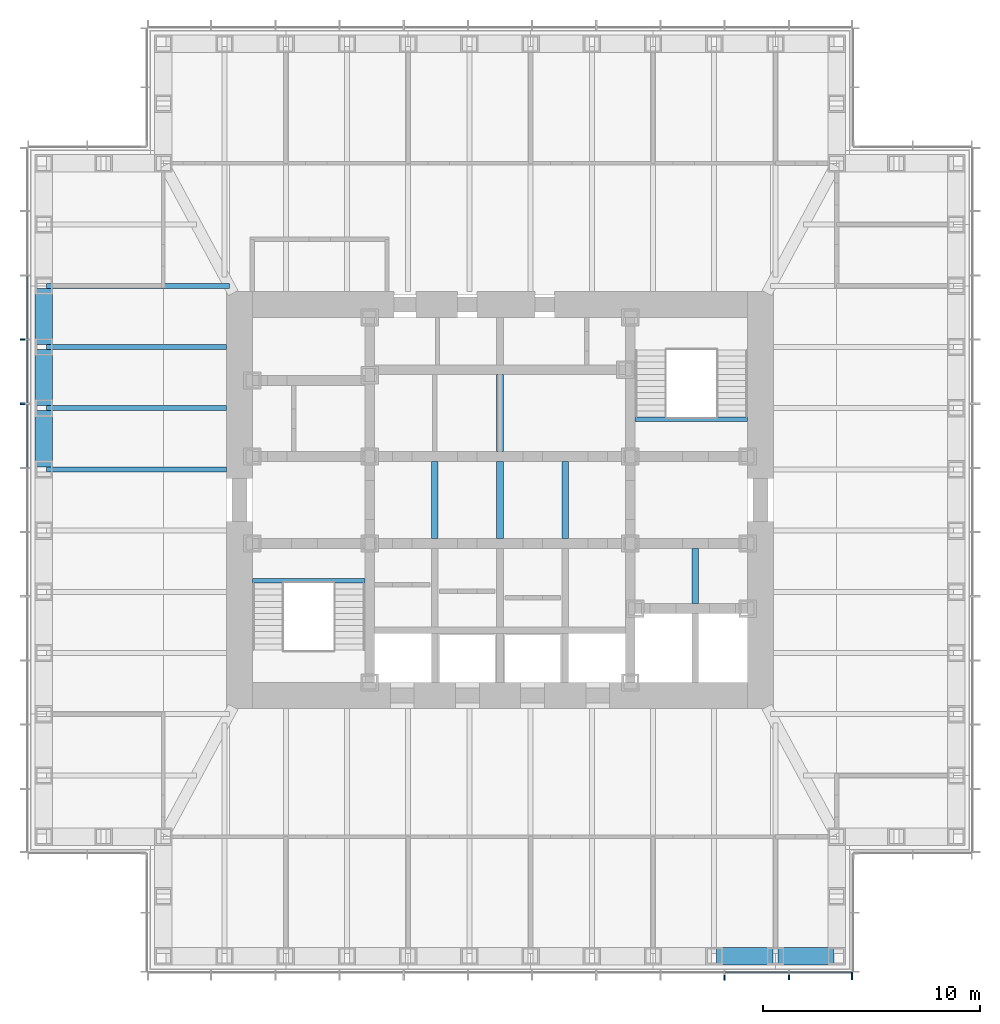
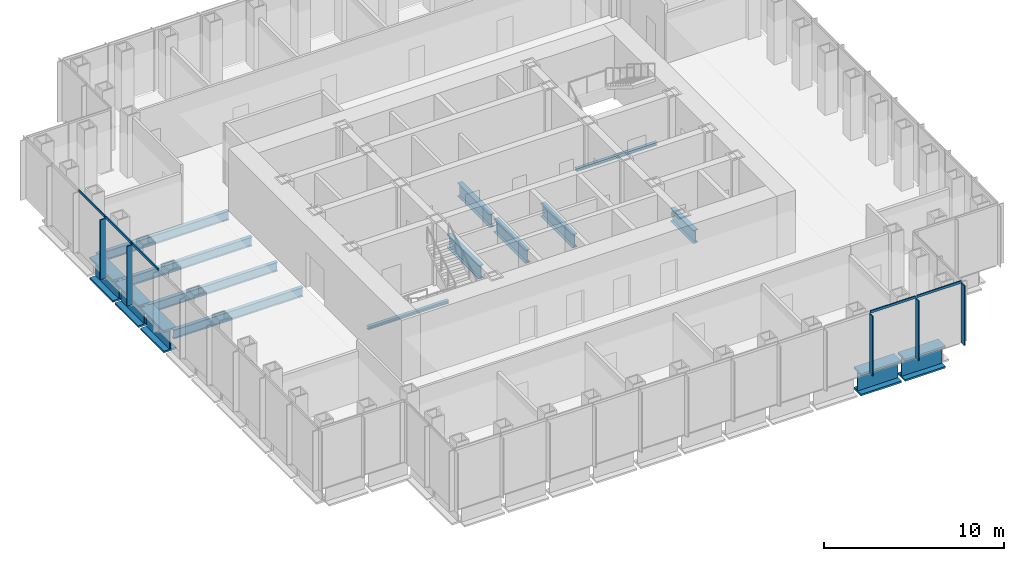
# One storey, part 3 of 16: 16 beams, 10 members, 2 elements without a shape of their own.
"""IFC4 building model written with IfcOpenShell, lengths in metres."""

import ifcopenshell
import ifcopenshell.guid

model = None  # the IFC model being written
_history = None  # IfcOwnerHistory: only IFC2X3 demands one
_inside = {}  # id of a spatial element -> (the spatial element, [elements in it])
_under = {}  # id of a project, library or spatial element -> (it, [spatial elements below it])
_declared = {}  # id of a project -> (the project, [libraries it declares])
_typed = {}  # id of a type object -> (the type object, [elements of that type])
_made_of = {}  # id of a material, layer set ... -> (it, [elements and type objects made of it])


def new_model(schema):
    """Start an empty IFC model of exactly this schema.

    Asked for "IFC4X3", IfcOpenShell would pick the latest addendum, in which some entities
    have other attributes; the version numbers below select the first issue.
    IFC2X3 requires an IfcOwnerHistory on every rooted entity: one is made here for all.
    """
    global model, _history
    if schema == "IFC4X3":
        model = ifcopenshell.file(schema_version=(4, 3, 0, 0))
    else:
        model = ifcopenshell.file(schema=schema)
    _inside.clear()
    _under.clear()
    _declared.clear()
    _typed.clear()
    _made_of.clear()
    _history = None
    if model.schema == "IFC2X3":
        org = make("IfcOrganization", Name="unknown")
        user = make(
            "IfcPersonAndOrganization",
            ThePerson=make("IfcPerson", FamilyName="unknown"),
            TheOrganization=org,
        )
        app = make(
            "IfcApplication",
            ApplicationDeveloper=org,
            Version="unknown",
            ApplicationFullName="unknown",
            ApplicationIdentifier="unknown",
        )
        _history = make(
            "IfcOwnerHistory",
            OwningUser=user,
            OwningApplication=app,
            ChangeAction="ADDED",
            CreationDate=0,
        )
    return model


def make(cls, **values):
    """One entity of the class cls with the attributes given. An attribute that is None is left unset."""
    return model.create_entity(
        cls, **{name: value for name, value in values.items() if value is not None}
    )


def rooted(cls, **values):
    """An entity with a GlobalId (a new one), such as an element, a storey or a relation."""
    return make(cls, GlobalId=ifcopenshell.guid.new(), OwnerHistory=_history, **values)


def si_unit(unit_type, name, prefix=None):
    """IfcSIUnit, for example si_unit("LENGTHUNIT", "METRE", prefix="MILLI")."""
    return make("IfcSIUnit", UnitType=unit_type, Prefix=prefix, Name=name)


def assignment(units):
    """IfcUnitAssignment: the units of a project."""
    return None if units is None else make("IfcUnitAssignment", Units=units)


def point(xyz):
    """IfcCartesianPoint."""
    return None if xyz is None else make("IfcCartesianPoint", Coordinates=xyz)


def direction(xyz):
    """IfcDirection."""
    return None if xyz is None else make("IfcDirection", DirectionRatios=xyz)


def frame(location, z_axis=None, x_axis=None):
    """IfcAxis2Placement3D, a coordinate frame: its origin and axes. An axis left out is left unset."""
    return make(
        "IfcAxis2Placement3D",
        Location=point(location),
        Axis=direction(z_axis),
        RefDirection=direction(x_axis),
    )


def frame_2d(location, x_axis=None):
    """IfcAxis2Placement2D, a coordinate frame in the plane: its origin and x axis."""
    return make(
        "IfcAxis2Placement2D", Location=point(location), RefDirection=direction(x_axis)
    )


def origin():
    """The frame at (0, 0, 0) with its axes left unset."""
    return frame((0.0, 0.0, 0.0))


def origin_2d():
    """The frame at (0, 0) in the plane with its x axis left unset."""
    return frame_2d((0.0, 0.0))


def place(relative_to, where):
    """IfcLocalPlacement: puts the frame where relative to a parent placement (None: the world)."""
    return make(
        "IfcLocalPlacement", PlacementRelTo=relative_to, RelativePlacement=where
    )


def context(
    kind, dimensions, precision=None, world=None, true_north=None, identifier=None
):
    """IfcGeometricRepresentationContext, for example the 3D "Model" context."""
    return make(
        "IfcGeometricRepresentationContext",
        ContextIdentifier=identifier,
        ContextType=kind,
        CoordinateSpaceDimension=dimensions,
        Precision=precision,
        WorldCoordinateSystem=world,
        TrueNorth=true_north,
    )


def subcontext(parent, identifier, kind, view, scale=None):
    """IfcGeometricRepresentationSubContext, for example "Body" below "Model"."""
    return make(
        "IfcGeometricRepresentationSubContext",
        ContextIdentifier=identifier,
        ContextType=kind,
        ParentContext=parent,
        TargetScale=scale,
        TargetView=view,
    )


def project(units=None, contexts=None):
    """IfcProject with its units and contexts."""
    return rooted(
        "IfcProject",
        Name="project",
        RepresentationContexts=contexts,
        UnitsInContext=assignment(units),
    )


def spatial(cls, under=None, at=None, **own):
    """A site, building, storey or space (cls), placed at a placement, below another one or the project."""
    s = rooted(cls, ObjectPlacement=at, **own)
    if under is not None:
        _under.setdefault(under.id(), (under, []))[1].append(s)
    return s


def profile(cls, at=None, kind="AREA", **sizes):
    """A parametric profile (cls). Its sizes go by their IFC names, for example OverallWidth=200.0."""
    return make(cls, ProfileType=kind, Position=at, **sizes)


def rectangle(**sizes):
    """IfcRectangleProfileDef."""
    return profile("IfcRectangleProfileDef", **sizes)


def i_section(**sizes):
    """IfcIShapeProfileDef."""
    return profile("IfcIShapeProfileDef", **sizes)


def extrude(swept, where, along, depth):
    """IfcExtrudedAreaSolid: the profile swept, set in the frame where, extruded along a direction by depth."""
    return make(
        "IfcExtrudedAreaSolid",
        SweptArea=swept,
        Position=where,
        ExtrudedDirection=direction(along),
        Depth=depth,
    )


def shape(context_of_items, identifier, shape_type, items):
    """IfcShapeRepresentation: the items that make up one representation, for example the "Body"."""
    return make(
        "IfcShapeRepresentation",
        ContextOfItems=context_of_items,
        RepresentationIdentifier=identifier,
        RepresentationType=shape_type,
        Items=items,
    )


def material(Name=None, Category=None):
    """IfcMaterial."""
    return make("IfcMaterial", Name=Name, Category=Category)


def material_profile(
    of_material, cross_section, Name=None, Category=None, Priority=None
):
    """IfcMaterialProfile: a cross section and its material."""
    return make(
        "IfcMaterialProfile",
        Name=Name,
        Material=of_material,
        Profile=cross_section,
        Priority=Priority,
        Category=Category,
    )


def profile_set(profiles, Name=None, composite=None):
    """IfcMaterialProfileSet."""
    return make(
        "IfcMaterialProfileSet",
        Name=Name,
        MaterialProfiles=profiles,
        CompositeProfile=composite,
    )


def made_of(thing, what):
    """Note that an element or type object is made of a material, layer set ...; save() writes the relation."""
    if what is not None:
        _made_of.setdefault(what.id(), (what, []))[1].append(thing)
    return thing


def type_object(cls, material=None, **own):
    """A type object (cls), such as IfcWallType, which elements share."""
    return made_of(rooted(cls, **own), material)


def element(
    cls,
    number,
    at=None,
    inside=None,
    cuts=None,
    type_object=None,
    material=None,
    context=None,
    identifier="Body",
    shape_type=None,
    held_by="IfcProductDefinitionShape",
    body=None,
    shapes=None,
    **own,
):
    """One element of the class cls, such as IfcWall. Its Tag is "e" and its number.

    at: its placement. inside: the storey or other place that contains it. cuts: it is an
    opening in that element (IfcRelVoidsElement). A single representation is given by context,
    identifier, shape_type and body (its items); several are given by shapes. held_by: the class
    of the entity that holds the representations. save() writes the other relations.
    """
    e = rooted(cls, Tag="e%d" % number, ObjectPlacement=at, **own)
    if body is not None:
        shapes = [shape(context, identifier, shape_type, body)]
    if shapes is not None:
        e.Representation = make(held_by, Representations=shapes)
    if inside is not None:
        _inside.setdefault(inside.id(), (inside, []))[1].append(e)
    if cuts is not None:
        rooted(
            "IfcRelVoidsElement", RelatingBuildingElement=cuts, RelatedOpeningElement=e
        )
    if type_object is not None:
        _typed.setdefault(type_object.id(), (type_object, []))[1].append(e)
    return made_of(e, material)


def aggregate(whole, parts):
    """IfcRelAggregates: a whole, such as a stair, and the parts it consists of."""
    return rooted("IfcRelAggregates", RelatingObject=whole, RelatedObjects=parts)


def save(model, path):
    """Write the relations noted so far, then the file.

    IfcRelAggregates (storeys below a building ...), IfcRelContainedInSpatialStructure (elements
    in a storey), IfcRelDefinesByType, IfcRelAssociatesMaterial and IfcRelDeclares: one each for
    every whole, place, type object, material and project.
    """
    for whole, parts in _under.values():
        aggregate(whole, parts)
    for where, things in _inside.values():
        rooted(
            "IfcRelContainedInSpatialStructure",
            RelatedElements=things,
            RelatingStructure=where,
        )
    for kind, things in _typed.values():
        rooted("IfcRelDefinesByType", RelatedObjects=things, RelatingType=kind)
    for what, things in _made_of.values():
        rooted("IfcRelAssociatesMaterial", RelatedObjects=things, RelatingMaterial=what)
    for by, libraries in _declared.values():
        rooted("IfcRelDeclares", RelatingContext=by, RelatedDefinitions=libraries)
    model.write(path)


model = new_model("IFC4")

# Units and contexts
model_context = context("Model", 3, precision=1e-05, world=origin(), true_north=direction((0.0, 1.0)))
body_context = subcontext(model_context, "Body", "Model", "MODEL_VIEW")
ifc_project = project(units=[si_unit("LENGTHUNIT", "METRE"), si_unit("AREAUNIT", "SQUARE_METRE"), si_unit("VOLUMEUNIT", "CUBIC_METRE"), si_unit("PLANEANGLEUNIT", "RADIAN"), si_unit("MASSUNIT", "GRAM", prefix="KILO")], contexts=[model_context])

# Site, building, storey
site_placement = place(None, origin())
site = spatial("IfcSite", under=ifc_project, at=site_placement, CompositionType="ELEMENT")
building_placement = place(site_placement, origin())
building = spatial("IfcBuilding", under=site, at=building_placement, Name="Daluyong Arena Tower", CompositionType="ELEMENT")
storey_placement = place(building_placement, frame((0.0, 0.0, 227.5)))
storey = spatial("IfcBuildingStorey", under=building, at=storey_placement, Name="L51", CompositionType="ELEMENT", Elevation=227.5)

# Curtain wall, members
ifc_material_1 = material(Name="Bronze anodised aluminium and glass", Category="aluminium")
curtain_wall_type = type_object("IfcCurtainWallType", Name="Curtain wall CW3", PredefinedType="USERDEFINED", material=ifc_material_1)
curtain_wall_1_placement = place(storey_placement, origin())
curtain_wall_1 = element("IfcCurtainWall", 1, at=curtain_wall_1_placement, inside=storey, type_object=curtain_wall_type, Name="curtain wall L51 S", ObjectType="UNITISED CURTAIN WALL", PredefinedType="USERDEFINED")
ifc_material_2 = material(Name="Bronze anodised aluminium fin", Category="aluminium")
ifc_material_profile_1 = material_profile(ifc_material_2, rectangle(XDim=0.35009765625, YDim=0.070068359375, at=origin_2d()))
ifc_profile_set_1 = profile_set([ifc_material_profile_1], Name="Bronze anodised aluminium fin")
member_type_1 = type_object("IfcMemberType", Name="CW3 bronze fin 350x70", PredefinedType="MULLION", material=ifc_profile_set_1)
member_1_placement = place(storey_placement, frame((66.3408203125, 58.074951171875, 0.0), z_axis=(0.0, 0.0, 1.0), x_axis=(0.0, 1.0, 0.0)))
member_1 = element("IfcMember", 2, at=member_1_placement, type_object=member_type_1, Name="curtain wall L51 S fin 10", PredefinedType="MULLION", context=body_context, shape_type="SweptSolid", body=[
    extrude(rectangle(XDim=0.35009765625, YDim=0.070068359375, at=origin_2d()), origin(), (0.0, 0.0, 1.0), 4.0400390625),
])
member_2_placement = place(storey_placement, frame((69.29541015625, 58.074951171875, 0.0), z_axis=(0.0, 0.0, 1.0), x_axis=(0.0, 1.0, 0.0)))
member_2 = element("IfcMember", 3, at=member_2_placement, type_object=member_type_1, Name="curtain wall L51 S fin 11", PredefinedType="MULLION", context=body_context, shape_type="SweptSolid", body=[
    extrude(rectangle(XDim=0.35009765625, YDim=0.070068359375, at=origin_2d()), origin(), (0.0, 0.0, 1.0), 4.0400390625),
])
member_3_placement = place(storey_placement, frame((72.215087890625, 58.074951171875, 0.0), z_axis=(0.0, 0.0, 1.0), x_axis=(0.0, 1.0, 0.0)))
member_3 = element("IfcMember", 4, at=member_3_placement, type_object=member_type_1, Name="curtain wall L51 S fin 12", PredefinedType="MULLION", context=body_context, shape_type="SweptSolid", body=[
    extrude(rectangle(XDim=0.35009765625, YDim=0.070068359375, at=origin_2d()), origin(), (0.0, 0.0, 1.0), 4.0400390625),
])

curtain_wall_2_placement = place(storey_placement, origin())
curtain_wall_2 = element("IfcCurtainWall", 5, at=curtain_wall_2_placement, inside=storey, type_object=curtain_wall_type, Name="curtain wall L51 W", ObjectType="UNITISED CURTAIN WALL", PredefinedType="USERDEFINED")
member_4_placement = place(storey_placement, frame((34.074951171875, 87.386474609375, 0.0), z_axis=(0.0, 0.0, 1.0), x_axis=(1.0, 0.0, 0.0)))
member_4 = element("IfcMember", 6, at=member_4_placement, type_object=member_type_1, Name="curtain wall L51 W fin 4", PredefinedType="MULLION", context=body_context, shape_type="SweptSolid", body=[
    extrude(rectangle(XDim=0.35009765625, YDim=0.070068359375, at=origin_2d()), origin(), (0.0, 0.0, 1.0), 4.0400390625),
])
member_5_placement = place(storey_placement, frame((34.074951171875, 84.431884765625, 0.0), z_axis=(0.0, 0.0, 1.0), x_axis=(1.0, 0.0, 0.0)))
member_5 = element("IfcMember", 7, at=member_5_placement, type_object=member_type_1, Name="curtain wall L51 W fin 5", PredefinedType="MULLION", context=body_context, shape_type="SweptSolid", body=[
    extrude(rectangle(XDim=0.35009765625, YDim=0.070068359375, at=origin_2d()), origin(), (0.0, 0.0, 1.0), 4.0400390625),
])

# Member
ifc_material_3 = material(Name="Bronze anodised aluminium", Category="aluminium")
ifc_material_profile_2 = material_profile(ifc_material_3, rectangle(XDim=0.070068359375, YDim=0.159912109375, at=origin_2d()))
ifc_profile_set_2 = profile_set([ifc_material_profile_2], Name="Bronze anodised aluminium")
member_type_2 = type_object("IfcMemberType", Name="CW3 stack transom 160x70", PredefinedType="USERDEFINED", material=ifc_profile_set_2)
member_6_placement = place(storey_placement, frame((66.3759765625, 58.25, 4.1201171875), z_axis=(1.0, 0.0, 0.0), x_axis=(0.0, 1.0, 0.0)))
member_6 = element("IfcMember", 8, at=member_6_placement, type_object=member_type_2, Name="curtain wall L51 S transom 10", ObjectType="TRANSOM", PredefinedType="USERDEFINED", context=body_context, shape_type="SweptSolid", body=[
    extrude(rectangle(XDim=0.070068359375, YDim=0.159912109375, at=origin_2d()), origin(), (0.0, 0.0, 1.0), 2.884521484375),
])

member_7_placement = place(storey_placement, frame((69.33056640625, 58.25, 4.1201171875), z_axis=(1.0, 0.0, 0.0), x_axis=(0.0, 1.0, 0.0)))
member_7 = element("IfcMember", 9, at=member_7_placement, type_object=member_type_2, Name="curtain wall L51 S transom 11", ObjectType="TRANSOM", PredefinedType="USERDEFINED", context=body_context, shape_type="SweptSolid", body=[
    extrude(rectangle(XDim=0.070068359375, YDim=0.159912109375, at=origin_2d()), origin(), (0.0, 0.0, 1.0), 2.849365234375),
])

aggregate(curtain_wall_1, [member_1, member_2, member_3, member_6, member_7])

member_8_placement = place(storey_placement, frame((34.25, 90.305908203125, 4.1201171875), z_axis=(0.0, -1.0, 0.0), x_axis=(1.0, 0.0, 0.0)))
member_8 = element("IfcMember", 10, at=member_8_placement, type_object=member_type_2, Name="curtain wall L51 W transom 3", ObjectType="TRANSOM", PredefinedType="USERDEFINED", context=body_context, shape_type="SweptSolid", body=[
    extrude(rectangle(XDim=0.070068359375, YDim=0.159912109375, at=origin_2d()), origin(), (0.0, 0.0, 1.0), 2.884521484375),
])

member_9_placement = place(storey_placement, frame((34.25, 87.351318359375, 4.1201171875), z_axis=(0.0, -1.0, 0.0), x_axis=(1.0, 0.0, 0.0)))
member_9 = element("IfcMember", 11, at=member_9_placement, type_object=member_type_2, Name="curtain wall L51 W transom 4", ObjectType="TRANSOM", PredefinedType="USERDEFINED", context=body_context, shape_type="SweptSolid", body=[
    extrude(rectangle(XDim=0.070068359375, YDim=0.159912109375, at=origin_2d()), origin(), (0.0, 0.0, 1.0), 2.884521484375),
])

member_10_placement = place(storey_placement, frame((34.25, 84.396728515625, 4.1201171875), z_axis=(0.0, -1.0, 0.0), x_axis=(1.0, 0.0, 0.0)))
member_10 = element("IfcMember", 12, at=member_10_placement, type_object=member_type_2, Name="curtain wall L51 W transom 5", ObjectType="TRANSOM", PredefinedType="USERDEFINED", context=body_context, shape_type="SweptSolid", body=[
    extrude(rectangle(XDim=0.070068359375, YDim=0.159912109375, at=origin_2d()), origin(), (0.0, 0.0, 1.0), 2.884521484375),
])

aggregate(curtain_wall_2, [member_4, member_5, member_8, member_9, member_10])

# Beams
ifc_material_4 = material(Name="Steel ASTM A992 Grade 50", Category="steel")
ifc_material_profile_3 = material_profile(ifc_material_4, i_section(OverallWidth=0.22900390625, OverallDepth=0.612060546875, WebThickness=0.011962890625, FlangeThickness=0.01953125, at=origin_2d()))
ifc_profile_set_3 = profile_set([ifc_material_profile_3], Name="Steel ASTM A992 Grade 50")
beam_type_1 = type_object("IfcBeamType", Name="Floor beam W24X84", PredefinedType="BEAM", material=ifc_profile_set_3)
beam_1_placement = place(storey_placement, frame((35.114990234375, 89.863525390625, -0.466064453125), z_axis=(1.0, 0.0, 0.0), x_axis=(0.0, 1.0, 0.0)))
element("IfcBeam", 13, at=beam_1_placement, inside=storey, type_object=beam_type_1, Name="floor beam FB3", PredefinedType="BEAM", context=body_context, shape_type="SweptSolid", body=[
    extrude(i_section(OverallWidth=0.22900390625, OverallDepth=0.612060546875, WebThickness=0.011962890625, FlangeThickness=0.01953125, at=origin_2d()), origin(), (0.0, 0.0, 1.0), 8.419921875),
])
for number, where, z_axis, x_axis, name in (
    (14, (35.114990234375, 87.04541015625, -0.466064453125), (1.0, 0.0, 0.0), (0.0, 1.0, 0.0), "floor beam FB3"),
    (15, (35.114990234375, 84.227294921875, -0.466064453125), (1.0, 0.0, 0.0), (0.0, 1.0, 0.0), "floor beam FB3"),
    (16, (35.114990234375, 81.4091796875, -0.466064453125), (1.0, 0.0, 0.0), (0.0, 1.0, 0.0), "floor beam FB3"),
):
    element("IfcBeam", number, at=place(storey_placement, frame(where, z_axis=z_axis, x_axis=x_axis)), inside=storey, type_object=beam_type_1, Name=name, PredefinedType="BEAM", context=body_context, shape_type="SweptSolid", body=[
        extrude(i_section(OverallWidth=0.22900390625, OverallDepth=0.612060546875, WebThickness=0.011962890625, FlangeThickness=0.01953125, at=origin_2d()), origin(), (0.0, 0.0, 1.0), 8.284912109375),
    ])
ifc_material_5 = material(Name="Steel ASTM A572 Grade 50", Category="steel")
ifc_material_profile_4 = material_profile(ifc_material_5, i_section(OverallWidth=0.300048828125, OverallDepth=0.89990234375, WebThickness=0.025, FlangeThickness=0.04, at=origin_2d()))
ifc_profile_set_4 = profile_set([ifc_material_profile_4], Name="Steel ASTM A572 Grade 50")
beam_type_2 = type_object("IfcBeamType", Name="Lift divider beam PG900X300", PredefinedType="BEAM", material=ifc_profile_set_4)
for number, where, z_axis, x_axis, name in (
    (17, (53.0, 78.22509765625, -0.610107421875), (0.0, 1.0, 0.0), (-1.0, 0.0, 0.0), "lift divider beam DB1"),
    (18, (56.0, 78.22509765625, -0.610107421875), (0.0, 1.0, 0.0), (-1.0, 0.0, 0.0), "lift divider beam DB1"),
    (19, (56.0, 82.22509765625, -0.610107421875), (0.0, 1.0, 0.0), (-1.0, 0.0, 0.0), "lift divider beam DB1"),
    (20, (59.0, 78.22509765625, -0.610107421875), (0.0, 1.0, 0.0), (-1.0, 0.0, 0.0), "lift divider beam DB1"),
):
    element("IfcBeam", number, at=place(storey_placement, frame(where, z_axis=z_axis, x_axis=x_axis)), inside=storey, type_object=beam_type_2, Name=name, PredefinedType="BEAM", context=body_context, shape_type="SweptSolid", body=[
        extrude(i_section(OverallWidth=0.300048828125, OverallDepth=0.89990234375, WebThickness=0.025, FlangeThickness=0.04, at=origin_2d()), origin(), (0.0, 0.0, 1.0), 3.5498046875),
    ])
beam_2_placement = place(storey_placement, frame((65.0, 75.22509765625, -0.610107421875), z_axis=(0.0, 1.0, 0.0), x_axis=(-1.0, 0.0, 0.0)))
element("IfcBeam", 21, at=beam_2_placement, inside=storey, type_object=beam_type_2, Name="lift divider beam DB1", PredefinedType="BEAM", context=body_context, shape_type="SweptSolid", body=[
    extrude(i_section(OverallWidth=0.300048828125, OverallDepth=0.89990234375, WebThickness=0.025, FlangeThickness=0.04, at=origin_2d()), origin(), (0.0, 0.0, 1.0), 2.5498046875),
])
ifc_material_6 = material(Name="Steel ASTM A588 Grade 50", Category="steel")
ifc_material_profile_5 = material_profile(ifc_material_6, i_section(OverallWidth=0.800048828125, OverallDepth=1.5, WebThickness=0.05, FlangeThickness=0.12, at=origin_2d()))
ifc_profile_set_5 = profile_set([ifc_material_profile_5], Name="Steel ASTM A588 Grade 50")
beam_type_3 = type_object("IfcBeamType", Name="Spandrel Z3 PG1500X800", PredefinedType="SPANDREL", material=ifc_profile_set_5)
beam_3_placement = place(storey_placement, frame((65.978515625, 59.0, -0.909912109375), z_axis=(1.0, 0.0, 0.0), x_axis=(0.0, 1.0, 0.0)))
element("IfcBeam", 22, at=beam_3_placement, inside=storey, type_object=beam_type_3, Name="spandrel z3 SB7", PredefinedType="SPANDREL", context=body_context, shape_type="SweptSolid", body=[
    extrude(i_section(OverallWidth=0.800048828125, OverallDepth=1.5, WebThickness=0.05, FlangeThickness=0.12, at=origin_2d()), origin(), (0.0, 0.0, 1.0), 2.58837890625),
])
for number, where, z_axis, x_axis, name in (
    (23, (68.796875, 59.0, -0.909912109375), (1.0, 0.0, 0.0), (0.0, 1.0, 0.0), "spandrel z3 SB7"),
    (24, (35.0, 89.74853515625, -0.909912109375), (0.0, -1.0, 0.0), (1.0, 0.0, 0.0), "spandrel z3 SB7"),
    (25, (35.0, 86.930419921875, -0.909912109375), (0.0, -1.0, 0.0), (1.0, 0.0, 0.0), "spandrel z3 SB7"),
    (26, (35.0, 84.1123046875, -0.909912109375), (0.0, -1.0, 0.0), (1.0, 0.0, 0.0), "spandrel z3 SB7"),
):
    element("IfcBeam", number, at=place(storey_placement, frame(where, z_axis=z_axis, x_axis=x_axis)), inside=storey, type_object=beam_type_3, Name=name, PredefinedType="SPANDREL", context=body_context, shape_type="SweptSolid", body=[
        extrude(i_section(OverallWidth=0.800048828125, OverallDepth=1.5, WebThickness=0.05, FlangeThickness=0.12, at=origin_2d()), origin(), (0.0, 0.0, 1.0), 2.588134765625),
    ])
ifc_material_7 = material(Name="Steel ASTM A992 Grade 50", Category="steel")
ifc_material_profile_6 = material_profile(ifc_material_7, i_section(OverallWidth=0.203125, OverallDepth=0.203125, WebThickness=0.00732421875, FlangeThickness=0.010986328125, at=origin_2d()))
ifc_profile_set_6 = profile_set([ifc_material_profile_6], Name="Steel ASTM A992 Grade 50")
beam_type_4 = type_object("IfcBeamType", Name="Stair landing beam W8X31", PredefinedType="BEAM", material=ifc_profile_set_6)
for number, where, z_axis, x_axis, name in (
    (27, (44.60009765625, 76.276611328125, -0.26171875), (1.0, 0.0, 0.0), (0.0, 1.0, 0.0), "exit stair A landing beam"),
    (28, (62.22509765625, 83.723388671875, -0.26171875), (1.0, 0.0, 0.0), (0.0, 1.0, 0.0), "exit stair B landing beam"),
):
    element("IfcBeam", number, at=place(storey_placement, frame(where, z_axis=z_axis, x_axis=x_axis)), inside=storey, type_object=beam_type_4, Name=name, PredefinedType="BEAM", context=body_context, shape_type="SweptSolid", body=[
        extrude(i_section(OverallWidth=0.203125, OverallDepth=0.203125, WebThickness=0.00732421875, FlangeThickness=0.010986328125, at=origin_2d()), origin(), (0.0, 0.0, 1.0), 5.1748046875),
    ])

save(model, "model.ifc")
